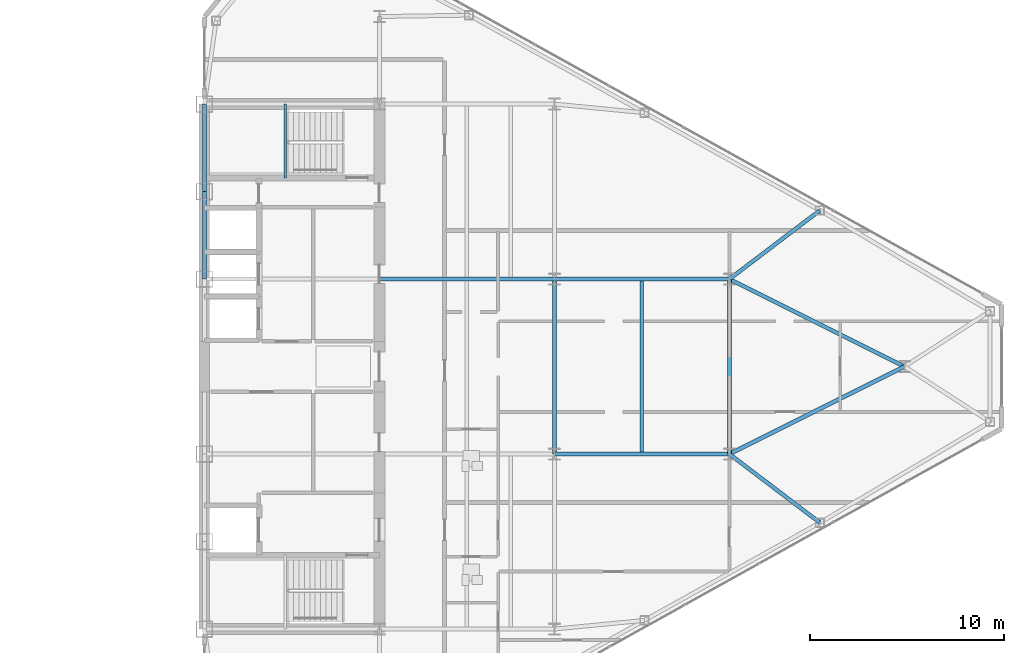
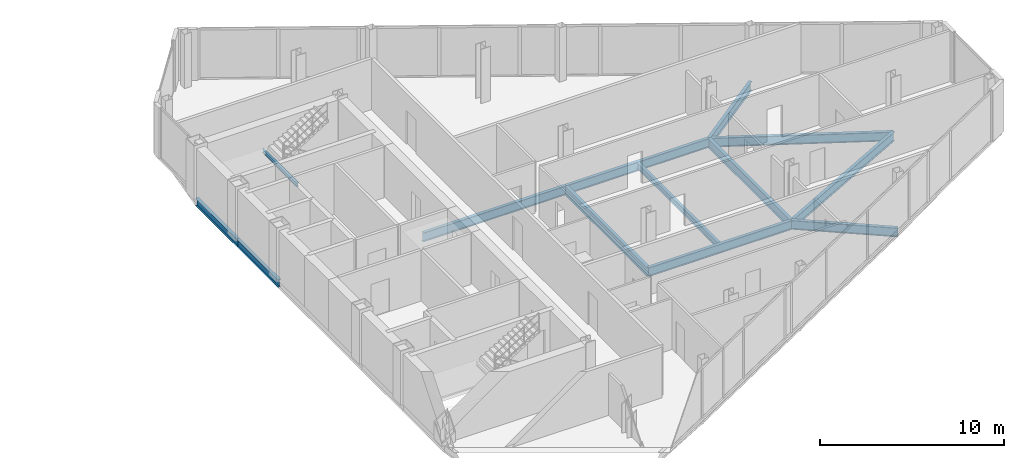
# One storey, part 14 of 26: 13 beams.
"""IFC4 building model written with IfcOpenShell, lengths in metres."""

import ifcopenshell
import ifcopenshell.guid

model = None  # the IFC model being written
_history = None  # IfcOwnerHistory: only IFC2X3 demands one
_inside = {}  # id of a spatial element -> (the spatial element, [elements in it])
_under = {}  # id of a project, library or spatial element -> (it, [spatial elements below it])
_declared = {}  # id of a project -> (the project, [libraries it declares])
_typed = {}  # id of a type object -> (the type object, [elements of that type])
_made_of = {}  # id of a material, layer set ... -> (it, [elements and type objects made of it])


def new_model(schema):
    """Start an empty IFC model of exactly this schema.

    Asked for "IFC4X3", IfcOpenShell would pick the latest addendum, in which some entities
    have other attributes; the version numbers below select the first issue.
    IFC2X3 requires an IfcOwnerHistory on every rooted entity: one is made here for all.
    """
    global model, _history
    if schema == "IFC4X3":
        model = ifcopenshell.file(schema_version=(4, 3, 0, 0))
    else:
        model = ifcopenshell.file(schema=schema)
    _inside.clear()
    _under.clear()
    _declared.clear()
    _typed.clear()
    _made_of.clear()
    _history = None
    if model.schema == "IFC2X3":
        org = make("IfcOrganization", Name="unknown")
        user = make(
            "IfcPersonAndOrganization",
            ThePerson=make("IfcPerson", FamilyName="unknown"),
            TheOrganization=org,
        )
        app = make(
            "IfcApplication",
            ApplicationDeveloper=org,
            Version="unknown",
            ApplicationFullName="unknown",
            ApplicationIdentifier="unknown",
        )
        _history = make(
            "IfcOwnerHistory",
            OwningUser=user,
            OwningApplication=app,
            ChangeAction="ADDED",
            CreationDate=0,
        )
    return model


def make(cls, **values):
    """One entity of the class cls with the attributes given. An attribute that is None is left unset."""
    return model.create_entity(
        cls, **{name: value for name, value in values.items() if value is not None}
    )


def rooted(cls, **values):
    """An entity with a GlobalId (a new one), such as an element, a storey or a relation."""
    return make(cls, GlobalId=ifcopenshell.guid.new(), OwnerHistory=_history, **values)


def si_unit(unit_type, name, prefix=None):
    """IfcSIUnit, for example si_unit("LENGTHUNIT", "METRE", prefix="MILLI")."""
    return make("IfcSIUnit", UnitType=unit_type, Prefix=prefix, Name=name)


def assignment(units):
    """IfcUnitAssignment: the units of a project."""
    return None if units is None else make("IfcUnitAssignment", Units=units)


def point(xyz):
    """IfcCartesianPoint."""
    return None if xyz is None else make("IfcCartesianPoint", Coordinates=xyz)


def direction(xyz):
    """IfcDirection."""
    return None if xyz is None else make("IfcDirection", DirectionRatios=xyz)


def frame(location, z_axis=None, x_axis=None):
    """IfcAxis2Placement3D, a coordinate frame: its origin and axes. An axis left out is left unset."""
    return make(
        "IfcAxis2Placement3D",
        Location=point(location),
        Axis=direction(z_axis),
        RefDirection=direction(x_axis),
    )


def frame_2d(location, x_axis=None):
    """IfcAxis2Placement2D, a coordinate frame in the plane: its origin and x axis."""
    return make(
        "IfcAxis2Placement2D", Location=point(location), RefDirection=direction(x_axis)
    )


def origin():
    """The frame at (0, 0, 0) with its axes left unset."""
    return frame((0.0, 0.0, 0.0))


def origin_2d():
    """The frame at (0, 0) in the plane with its x axis left unset."""
    return frame_2d((0.0, 0.0))


def place(relative_to, where):
    """IfcLocalPlacement: puts the frame where relative to a parent placement (None: the world)."""
    return make(
        "IfcLocalPlacement", PlacementRelTo=relative_to, RelativePlacement=where
    )


def context(
    kind, dimensions, precision=None, world=None, true_north=None, identifier=None
):
    """IfcGeometricRepresentationContext, for example the 3D "Model" context."""
    return make(
        "IfcGeometricRepresentationContext",
        ContextIdentifier=identifier,
        ContextType=kind,
        CoordinateSpaceDimension=dimensions,
        Precision=precision,
        WorldCoordinateSystem=world,
        TrueNorth=true_north,
    )


def subcontext(parent, identifier, kind, view, scale=None):
    """IfcGeometricRepresentationSubContext, for example "Body" below "Model"."""
    return make(
        "IfcGeometricRepresentationSubContext",
        ContextIdentifier=identifier,
        ContextType=kind,
        ParentContext=parent,
        TargetScale=scale,
        TargetView=view,
    )


def project(units=None, contexts=None):
    """IfcProject with its units and contexts."""
    return rooted(
        "IfcProject",
        Name="project",
        RepresentationContexts=contexts,
        UnitsInContext=assignment(units),
    )


def spatial(cls, under=None, at=None, **own):
    """A site, building, storey or space (cls), placed at a placement, below another one or the project."""
    s = rooted(cls, ObjectPlacement=at, **own)
    if under is not None:
        _under.setdefault(under.id(), (under, []))[1].append(s)
    return s


def profile(cls, at=None, kind="AREA", **sizes):
    """A parametric profile (cls). Its sizes go by their IFC names, for example OverallWidth=200.0."""
    return make(cls, ProfileType=kind, Position=at, **sizes)


def i_section(**sizes):
    """IfcIShapeProfileDef."""
    return profile("IfcIShapeProfileDef", **sizes)


def extrude(swept, where, along, depth):
    """IfcExtrudedAreaSolid: the profile swept, set in the frame where, extruded along a direction by depth."""
    return make(
        "IfcExtrudedAreaSolid",
        SweptArea=swept,
        Position=where,
        ExtrudedDirection=direction(along),
        Depth=depth,
    )


def shape(context_of_items, identifier, shape_type, items):
    """IfcShapeRepresentation: the items that make up one representation, for example the "Body"."""
    return make(
        "IfcShapeRepresentation",
        ContextOfItems=context_of_items,
        RepresentationIdentifier=identifier,
        RepresentationType=shape_type,
        Items=items,
    )


def source(mapping_origin, context_of_items, identifier, shape_type, items):
    """IfcRepresentationMap: a shape defined once, which mapped items show again and again."""
    return make(
        "IfcRepresentationMap",
        MappingOrigin=mapping_origin,
        MappedRepresentation=shape(context_of_items, identifier, shape_type, items),
    )


def transform(
    local_origin,
    x_axis=None,
    y_axis=None,
    z_axis=None,
    scale=None,
    scale2=None,
    scale3=None,
    uniform=True,
):
    """IfcCartesianTransformationOperator3D, or its non-uniform kind. x_axis, y_axis, z_axis: its Axis1, 2, 3."""
    if uniform:
        return make(
            "IfcCartesianTransformationOperator3D",
            Axis1=direction(x_axis),
            Axis2=direction(y_axis),
            LocalOrigin=point(local_origin),
            Scale=scale,
            Axis3=direction(z_axis),
        )
    return make(
        "IfcCartesianTransformationOperator3DnonUniform",
        Axis1=direction(x_axis),
        Axis2=direction(y_axis),
        LocalOrigin=point(local_origin),
        Scale=scale,
        Axis3=direction(z_axis),
        Scale2=scale2,
        Scale3=scale3,
    )


def mapped(mapping_source, mapping_target):
    """IfcMappedItem: shows the shape of a source again, moved by a transform."""
    return make(
        "IfcMappedItem", MappingSource=mapping_source, MappingTarget=mapping_target
    )


def material(Name=None, Category=None):
    """IfcMaterial."""
    return make("IfcMaterial", Name=Name, Category=Category)


def material_profile(
    of_material, cross_section, Name=None, Category=None, Priority=None
):
    """IfcMaterialProfile: a cross section and its material."""
    return make(
        "IfcMaterialProfile",
        Name=Name,
        Material=of_material,
        Profile=cross_section,
        Priority=Priority,
        Category=Category,
    )


def profile_set(profiles, Name=None, composite=None):
    """IfcMaterialProfileSet."""
    return make(
        "IfcMaterialProfileSet",
        Name=Name,
        MaterialProfiles=profiles,
        CompositeProfile=composite,
    )


def made_of(thing, what):
    """Note that an element or type object is made of a material, layer set ...; save() writes the relation."""
    if what is not None:
        _made_of.setdefault(what.id(), (what, []))[1].append(thing)
    return thing


def type_object(cls, material=None, **own):
    """A type object (cls), such as IfcWallType, which elements share."""
    return made_of(rooted(cls, **own), material)


def type_shapes(of_type, sources):
    """Give a type object the sources (RepresentationMaps) that its elements show as mapped items."""
    of_type.RepresentationMaps = sources


def element(
    cls,
    number,
    at=None,
    inside=None,
    cuts=None,
    type_object=None,
    material=None,
    context=None,
    identifier="Body",
    shape_type=None,
    held_by="IfcProductDefinitionShape",
    body=None,
    shapes=None,
    **own,
):
    """One element of the class cls, such as IfcWall. Its Tag is "e" and its number.

    at: its placement. inside: the storey or other place that contains it. cuts: it is an
    opening in that element (IfcRelVoidsElement). A single representation is given by context,
    identifier, shape_type and body (its items); several are given by shapes. held_by: the class
    of the entity that holds the representations. save() writes the other relations.
    """
    e = rooted(cls, Tag="e%d" % number, ObjectPlacement=at, **own)
    if body is not None:
        shapes = [shape(context, identifier, shape_type, body)]
    if shapes is not None:
        e.Representation = make(held_by, Representations=shapes)
    if inside is not None:
        _inside.setdefault(inside.id(), (inside, []))[1].append(e)
    if cuts is not None:
        rooted(
            "IfcRelVoidsElement", RelatingBuildingElement=cuts, RelatedOpeningElement=e
        )
    if type_object is not None:
        _typed.setdefault(type_object.id(), (type_object, []))[1].append(e)
    return made_of(e, material)


def aggregate(whole, parts):
    """IfcRelAggregates: a whole, such as a stair, and the parts it consists of."""
    return rooted("IfcRelAggregates", RelatingObject=whole, RelatedObjects=parts)


def save(model, path):
    """Write the relations noted so far, then the file.

    IfcRelAggregates (storeys below a building ...), IfcRelContainedInSpatialStructure (elements
    in a storey), IfcRelDefinesByType, IfcRelAssociatesMaterial and IfcRelDeclares: one each for
    every whole, place, type object, material and project.
    """
    for whole, parts in _under.values():
        aggregate(whole, parts)
    for where, things in _inside.values():
        rooted(
            "IfcRelContainedInSpatialStructure",
            RelatedElements=things,
            RelatingStructure=where,
        )
    for kind, things in _typed.values():
        rooted("IfcRelDefinesByType", RelatedObjects=things, RelatingType=kind)
    for what, things in _made_of.values():
        rooted("IfcRelAssociatesMaterial", RelatedObjects=things, RelatingMaterial=what)
    for by, libraries in _declared.values():
        rooted("IfcRelDeclares", RelatingContext=by, RelatedDefinitions=libraries)
    model.write(path)


model = new_model("IFC4")

# Units and contexts
model_context = context("Model", 3, precision=1e-05, world=origin(), true_north=direction((0.0, 1.0)))
body_context = subcontext(model_context, "Body", "Model", "MODEL_VIEW")
ifc_project = project(units=[si_unit("LENGTHUNIT", "METRE"), si_unit("AREAUNIT", "SQUARE_METRE"), si_unit("VOLUMEUNIT", "CUBIC_METRE"), si_unit("PLANEANGLEUNIT", "RADIAN"), si_unit("MASSUNIT", "GRAM", prefix="KILO")], contexts=[model_context])

# Site, building, storey
site_placement = place(None, origin())
site = spatial("IfcSite", under=ifc_project, at=site_placement, CompositionType="ELEMENT")
building_placement = place(site_placement, origin())
building = spatial("IfcBuilding", under=site, at=building_placement, Name="Seokmaru Belvedere", CompositionType="ELEMENT")
storey_placement = place(building_placement, frame((0.0, 0.0, 174.300048828125)))
storey = spatial("IfcBuildingStorey", under=building, at=storey_placement, Name="L46", CompositionType="ELEMENT", Elevation=174.300048828125)

# Beams
ifc_material = material(Name="Steel SM355 (355 MPa)", Category="steel")
ifc_material_profile_1 = material_profile(ifc_material, i_section(OverallWidth=0.199951171875, OverallDepth=0.5, WebThickness=0.010009765625, FlangeThickness=0.01611328125, at=origin_2d()), Name="H-500x200x10x16")
ifc_profile_set_1 = profile_set([ifc_material_profile_1], Name="Steel SM355 (355 MPa)")
beam_type_1 = type_object("IfcBeamType", Name="Perimeter Spandrel Beam H-500", PredefinedType="SPANDREL", material=ifc_profile_set_1)
shared_shape_1 = source(origin(), body_context, "Body", "SweptSolid", [
    extrude(i_section(OverallWidth=0.199951171875, OverallDepth=0.5, WebThickness=0.010009765625, FlangeThickness=0.01611328125, at=origin_2d()), origin(), (0.0, 0.0, 1.0), 4.5),
])
type_shapes(beam_type_1, [shared_shape_1])
for number, where, z_axis, x_axis, name in (
    (1, (27.5, 4.5, -0.469970703125), (0.0, 1.0, 0.0), (-1.0, 0.0, 0.0), "L46 E Portal Spine Spandrel 4"),
    (2, (27.5, 9.0, -0.469970703125), (0.0, 1.0, 0.0), (-1.0, 0.0, 0.0), "L46 E Portal Spine Spandrel 5"),
):
    element("IfcBeam", number, at=place(storey_placement, frame(where, z_axis=z_axis, x_axis=x_axis)), inside=storey, type_object=beam_type_1, Name=name, PredefinedType="SPANDREL", context=body_context, shape_type="MappedRepresentation", body=[
        mapped(shared_shape_1, transform((0.0, 0.0, 0.0), scale=1.0)),
    ])
ifc_material_profile_2 = material_profile(ifc_material, i_section(OverallWidth=0.199951171875, OverallDepth=0.60009765625, WebThickness=0.010986328125, FlangeThickness=0.01708984375, at=origin_2d()), Name="H-600x200x11x17")
ifc_profile_set_2 = profile_set([ifc_material_profile_2], Name="Steel SM355 (355 MPa)")
beam_type_2 = type_object("IfcBeamType", Name="Primary Floor Girder H-600", PredefinedType="BEAM", material=ifc_profile_set_2)
shared_shape_2 = source(origin(), body_context, "Body", "SweptSolid", [
    extrude(i_section(OverallWidth=0.199951171875, OverallDepth=0.60009765625, WebThickness=0.010986328125, FlangeThickness=0.01708984375, at=origin_2d()), origin(), (0.0, 0.0, 1.0), 9.0),
])
for number, where, z_axis, x_axis, name in (
    (3, (45.5, -4.5, -0.52001953125), (0.0, 1.0, 0.0), (-1.0, 0.0, 0.0), "L46 E Interior Grid Girder 2"),
    (4, (36.5, 4.5, -0.52001953125), (1.0, 0.0, 0.0), (0.0, 1.0, 0.0), "L46 E Wing Primary Girder 3"),
    (5, (45.5, -4.5, -0.52001953125), (1.0, 0.0, 0.0), (0.0, 1.0, 0.0), "L46 E Outer Wing Girder 1"),
    (6, (45.5, 4.5, -0.52001953125), (1.0, 0.0, 0.0), (0.0, 1.0, 0.0), "L46 E Outer Wing Girder 2"),
    (7, (54.5, -4.5, -0.52001953125), (0.0, 1.0, 0.0), (-1.0, 0.0, 0.0), "L46 E Apex Frame Girder"),
):
    element("IfcBeam", number, at=place(storey_placement, frame(where, z_axis=z_axis, x_axis=x_axis)), inside=storey, type_object=beam_type_2, Name=name, PredefinedType="BEAM", context=body_context, shape_type="MappedRepresentation", body=[
        mapped(shared_shape_2, transform((0.0, 0.0, 0.0), scale=1.0)),
    ])
shared_shape_3 = source(origin(), body_context, "Body", "SweptSolid", [
    extrude(i_section(OverallWidth=0.199951171875, OverallDepth=0.60009765625, WebThickness=0.010986328125, FlangeThickness=0.01708984375, at=origin_2d()), origin(), (0.0, 0.0, 1.0), 10.062255859375),
])
for number, where, z_axis, x_axis, name in (
    (8, (54.5, -4.5, -0.52001953125), (0.894427191, 0.4472135955, 0.0), (-0.4472135955, 0.894427191, 0.0), "L46 E Apex Converging Girder 1"),
    (9, (54.5, 4.5, -0.52001953125), (0.894427191, -0.4472135955, 0.0), (0.4472135955, 0.894427191, 0.0), "L46 E Apex Converging Girder 2"),
):
    element("IfcBeam", number, at=place(storey_placement, frame(where, z_axis=z_axis, x_axis=x_axis)), inside=storey, type_object=beam_type_2, Name=name, PredefinedType="BEAM", context=body_context, shape_type="MappedRepresentation", body=[
        mapped(shared_shape_3, transform((0.0, 0.0, 0.0), scale=1.0)),
    ])
ifc_material_profile_3 = material_profile(ifc_material, i_section(OverallWidth=0.18505859375, OverallDepth=0.389892578125, WebThickness=0.008056640625, FlangeThickness=0.011962890625, at=origin_2d()), Name="H-390x185x8x12")
ifc_profile_set_3 = profile_set([ifc_material_profile_3], Name="Steel SM355 (355 MPa)")
beam_type_3 = type_object("IfcBeamType", Name="Secondary Floor Joist H-350", PredefinedType="JOIST", material=ifc_profile_set_3)
shared_shape_4 = source(origin(), body_context, "Body", "SweptSolid", [
    extrude(i_section(OverallWidth=0.18505859375, OverallDepth=0.389892578125, WebThickness=0.008056640625, FlangeThickness=0.011962890625, at=origin_2d()), origin(), (0.0, 0.0, 1.0), 8.7900390625),
])
type_shapes(beam_type_3, [shared_shape_4])
beam_1_placement = place(storey_placement, frame((50.0, -4.39501953125, -0.4150390625), z_axis=(0.0, 1.0, 0.0), x_axis=(-1.0, 0.0, 0.0)))
element("IfcBeam", 10, at=beam_1_placement, inside=storey, type_object=beam_type_3, Name="L46 E Outer Bay Secondary Joist", PredefinedType="JOIST", context=body_context, shape_type="MappedRepresentation", body=[
    mapped(shared_shape_4, transform((0.0, 0.0, 0.0), scale=1.0)),
])
shared_shape_5 = source(origin(), body_context, "Body", "SweptSolid", [
    extrude(i_section(OverallWidth=0.199951171875, OverallDepth=0.60009765625, WebThickness=0.010986328125, FlangeThickness=0.01708984375, at=origin_2d()), origin(), (0.0, 0.0, 1.0), 5.842529296875),
])
type_shapes(beam_type_2, [shared_shape_2, shared_shape_3, shared_shape_5])
for number, where, z_axis, x_axis, name in (
    (11, (59.154541015625, -8.031494140625, -0.52001953125), (-0.796653109879, 0.604436781243, 0.0), (-0.604436781243, -0.796653109879, 0.0), "L46 E Flank Radial Floor Girder S-3"),
    (12, (59.154541015625, 8.031494140625, -0.52001953125), (-0.796653109879, -0.604436781243, 0.0), (0.604436781243, -0.796653109879, 0.0), "L46 E Flank Radial Floor Girder N-3"),
):
    element("IfcBeam", number, at=place(storey_placement, frame(where, z_axis=z_axis, x_axis=x_axis)), inside=storey, type_object=beam_type_2, Name=name, PredefinedType="BEAM", context=body_context, shape_type="MappedRepresentation", body=[
        mapped(shared_shape_5, transform((0.0, 0.0, 0.0), scale=1.0)),
    ])
ifc_material_profile_4 = material_profile(ifc_material, i_section(OverallWidth=0.125, OverallDepth=0.25, WebThickness=0.006103515625, FlangeThickness=0.009033203125, at=origin_2d()), Name="H-250x125x6x9")
ifc_profile_set_4 = profile_set([ifc_material_profile_4], Name="Steel SM355 (355 MPa)")
beam_type_4 = type_object("IfcBeamType", Name="Stair Mid-Landing Support Beam H-250", PredefinedType="JOIST", material=ifc_profile_set_4)
shared_shape_6 = source(origin(), body_context, "Body", "SweptSolid", [
    extrude(i_section(OverallWidth=0.125, OverallDepth=0.25, WebThickness=0.006103515625, FlangeThickness=0.009033203125, at=origin_2d()), origin(), (0.0, 0.0, 1.0), 3.800048828125),
])
type_shapes(beam_type_4, [shared_shape_6])
beam_2_placement = place(storey_placement, frame((31.64990234375, 9.699951171875, 1.474853515625), z_axis=(0.0, 1.0, 0.0), x_axis=(-1.0, 0.0, 0.0)))
element("IfcBeam", 13, at=beam_2_placement, inside=storey, type_object=beam_type_4, Name="L46 Stair ST-E2 Mid-Landing Support Beam 1", PredefinedType="JOIST", context=body_context, shape_type="MappedRepresentation", body=[
    mapped(shared_shape_6, transform((0.0, 0.0, 0.0), scale=1.0)),
])

save(model, "model.ifc")
